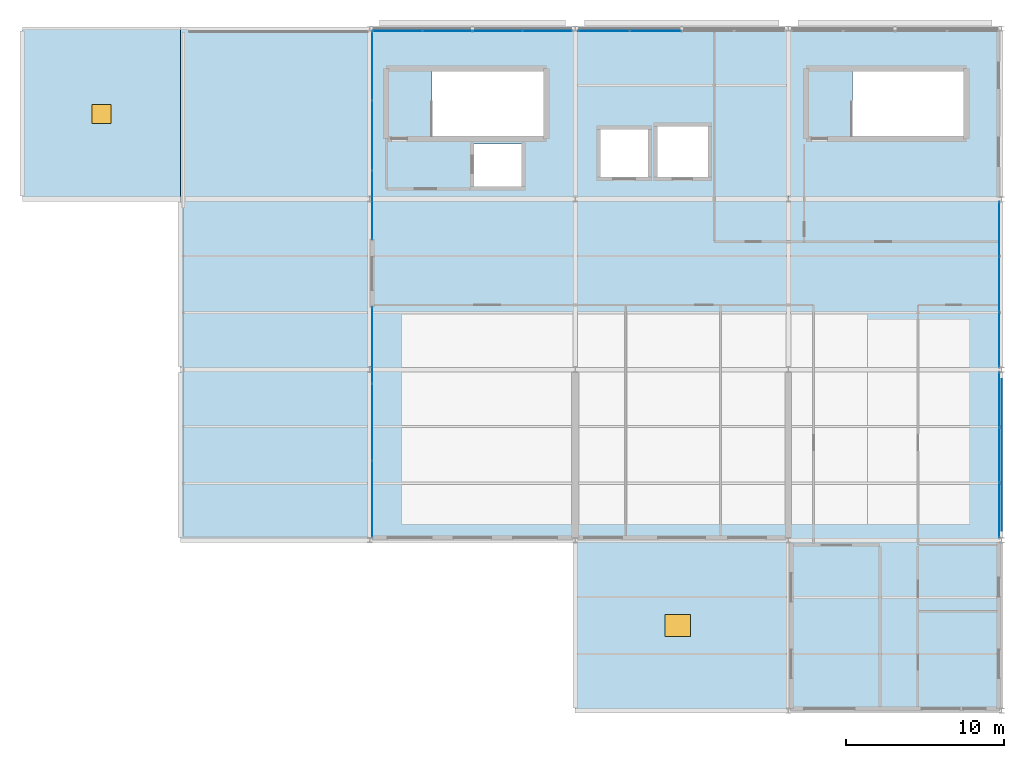
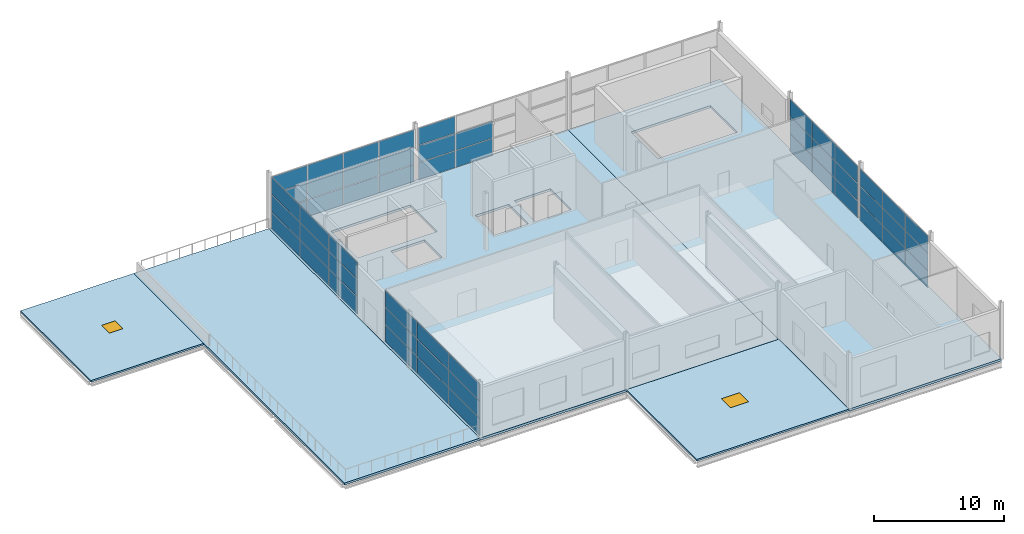
# One storey, part 30 of 34: 54 plates, 5 slabs, 2 windows, 2 openings, 6 elements without a shape of their own.
"""IFC4 building model written with IfcOpenShell, lengths in metres."""

from ifc_helpers import new_model, si_unit, direction, frame, origin, origin_2d, place, context, subcontext, project, spatial, polyline, rectangle, outline, extrude, material, layer, layer_set, type_object, element, fill, aggregate, save


model = new_model("IFC4")

# Units and contexts
model_context = context("Model", 3, precision=1e-05, world=origin(), true_north=direction((0.0, 1.0)))
body_context = subcontext(model_context, "Body", "Model", "MODEL_VIEW")
ifc_project = project(units=[si_unit("LENGTHUNIT", "METRE"), si_unit("AREAUNIT", "SQUARE_METRE"), si_unit("VOLUMEUNIT", "CUBIC_METRE"), si_unit("PLANEANGLEUNIT", "RADIAN"), si_unit("MASSUNIT", "GRAM", prefix="KILO")], contexts=[model_context])

# Site, building, storey
site_placement = place(None, origin())
site = spatial("IfcSite", under=ifc_project, at=site_placement, CompositionType="ELEMENT")
building_placement = place(site_placement, origin())
building = spatial("IfcBuilding", under=site, at=building_placement, Name="Tamarisk Ironworks Central Station", CompositionType="ELEMENT")
storey_placement = place(building_placement, frame((0.0, 0.0, 25.199951171875)))
storey = spatial("IfcBuildingStorey", under=building, at=storey_placement, Name="L05", CompositionType="ELEMENT", Elevation=25.199951171875)

# Curtain wall, plates
ifc_material_1 = material(Name="Anodized aluminium alloy 6063-T6", Category="aluminium")
ifc_layer_1 = layer(ifc_material_1, 0.179931640625)
ifc_layer_set_1 = layer_set([ifc_layer_1], Name="Anodized aluminium alloy 6063-T6")
curtain_wall_type_1 = type_object("IfcCurtainWallType", Name="CW-20", PredefinedType="USERDEFINED", material=ifc_layer_set_1)
curtain_wall_1_placement = place(storey_placement, origin())
curtain_wall_1 = element("IfcCurtainWall", 1, at=curtain_wall_1_placement, inside=storey, type_object=curtain_wall_type_1, Name="Operations L05 north facade curtain wall 140", ObjectType="GLAZED CURTAIN WALL", PredefinedType="USERDEFINED")
ifc_layer_2 = layer(ifc_material_1, 0.02392578125)
ifc_layer_set_2 = layer_set([ifc_layer_2], Name="Anodized aluminium alloy 6063-T6")
plate_type_1 = type_object("IfcPlateType", Name="PL-CWP24", PredefinedType="CURTAIN_PANEL", material=ifc_layer_set_2)
plate_1_placement = place(storey_placement, frame((141.7509765625, 122.25, 0.053955078125), z_axis=(0.0, 0.0, 1.0), x_axis=(1.0, 0.0, 0.0)))
plate_1 = element("IfcPlate", 2, at=plate_1_placement, type_object=plate_type_1, Name="CW20 panel 1.1", PredefinedType="CURTAIN_PANEL", context=body_context, shape_type="SweptSolid", body=[
    extrude(rectangle(XDim=3.097900390625, YDim=0.02392578125, at=origin_2d()), origin(), (0.0, 0.0, 1.0), 1.56201171875),
])
plate_2_placement = place(storey_placement, frame((141.7509765625, 122.25, 1.6640625), z_axis=(0.0, 0.0, 1.0), x_axis=(1.0, 0.0, 0.0)))
plate_2 = element("IfcPlate", 3, at=plate_2_placement, type_object=plate_type_1, Name="CW20 panel 1.2", PredefinedType="CURTAIN_PANEL", context=body_context, shape_type="SweptSolid", body=[
    extrude(rectangle(XDim=3.097900390625, YDim=0.02392578125, at=origin_2d()), origin(), (0.0, 0.0, 1.0), 1.592041015625),
])
plate_3_placement = place(storey_placement, frame((141.7509765625, 122.25, 3.303955078125), z_axis=(0.0, 0.0, 1.0), x_axis=(1.0, 0.0, 0.0)))
plate_3 = element("IfcPlate", 4, at=plate_3_placement, type_object=plate_type_1, Name="CW20 panel 1.3", PredefinedType="CURTAIN_PANEL", context=body_context, shape_type="SweptSolid", body=[
    extrude(rectangle(XDim=3.097900390625, YDim=0.02392578125, at=origin_2d()), origin(), (0.0, 0.0, 1.0), 1.56201171875),
])
plate_4_placement = place(storey_placement, frame((144.912109375, 122.25, 0.053955078125), z_axis=(0.0, 0.0, 1.0), x_axis=(1.0, 0.0, 0.0)))
plate_4 = element("IfcPlate", 5, at=plate_4_placement, type_object=plate_type_1, Name="CW20 panel 2.1", PredefinedType="CURTAIN_PANEL", context=body_context, shape_type="SweptSolid", body=[
    extrude(rectangle(XDim=3.1279296875, YDim=0.02392578125, at=origin_2d()), origin(), (0.0, 0.0, 1.0), 1.56201171875),
])
plate_5_placement = place(storey_placement, frame((144.912109375, 122.25, 1.6640625), z_axis=(0.0, 0.0, 1.0), x_axis=(1.0, 0.0, 0.0)))
plate_5 = element("IfcPlate", 6, at=plate_5_placement, type_object=plate_type_1, Name="CW20 panel 2.2", PredefinedType="CURTAIN_PANEL", context=body_context, shape_type="SweptSolid", body=[
    extrude(rectangle(XDim=3.1279296875, YDim=0.02392578125, at=origin_2d()), origin(), (0.0, 0.0, 1.0), 1.592041015625),
])
plate_6_placement = place(storey_placement, frame((144.912109375, 122.25, 3.303955078125), z_axis=(0.0, 0.0, 1.0), x_axis=(1.0, 0.0, 0.0)))
plate_6 = element("IfcPlate", 7, at=plate_6_placement, type_object=plate_type_1, Name="CW20 panel 2.3", PredefinedType="CURTAIN_PANEL", context=body_context, shape_type="SweptSolid", body=[
    extrude(rectangle(XDim=3.1279296875, YDim=0.02392578125, at=origin_2d()), origin(), (0.0, 0.0, 1.0), 1.56201171875),
])
plate_7_placement = place(storey_placement, frame((148.087890625, 122.25, 0.053955078125), z_axis=(0.0, 0.0, 1.0), x_axis=(1.0, 0.0, 0.0)))
plate_7 = element("IfcPlate", 8, at=plate_7_placement, type_object=plate_type_1, Name="CW20 panel 3.1", PredefinedType="CURTAIN_PANEL", context=body_context, shape_type="SweptSolid", body=[
    extrude(rectangle(XDim=3.1279296875, YDim=0.02392578125, at=origin_2d()), origin(), (0.0, 0.0, 1.0), 1.56201171875),
])
plate_8_placement = place(storey_placement, frame((148.087890625, 122.25, 1.6640625), z_axis=(0.0, 0.0, 1.0), x_axis=(1.0, 0.0, 0.0)))
plate_8 = element("IfcPlate", 9, at=plate_8_placement, type_object=plate_type_1, Name="CW20 panel 3.2", PredefinedType="CURTAIN_PANEL", context=body_context, shape_type="SweptSolid", body=[
    extrude(rectangle(XDim=3.1279296875, YDim=0.02392578125, at=origin_2d()), origin(), (0.0, 0.0, 1.0), 1.592041015625),
])
plate_9_placement = place(storey_placement, frame((148.087890625, 122.25, 3.303955078125), z_axis=(0.0, 0.0, 1.0), x_axis=(1.0, 0.0, 0.0)))
plate_9 = element("IfcPlate", 10, at=plate_9_placement, type_object=plate_type_1, Name="CW20 panel 3.3", PredefinedType="CURTAIN_PANEL", context=body_context, shape_type="SweptSolid", body=[
    extrude(rectangle(XDim=3.1279296875, YDim=0.02392578125, at=origin_2d()), origin(), (0.0, 0.0, 1.0), 1.56201171875),
])
plate_10_placement = place(storey_placement, frame((151.2490234375, 122.25, 0.053955078125), z_axis=(0.0, 0.0, 1.0), x_axis=(1.0, 0.0, 0.0)))
plate_10 = element("IfcPlate", 11, at=plate_10_placement, type_object=plate_type_1, Name="CW20 panel 4.1", PredefinedType="CURTAIN_PANEL", context=body_context, shape_type="SweptSolid", body=[
    extrude(rectangle(XDim=3.097900390625, YDim=0.02392578125, at=origin_2d()), origin(), (0.0, 0.0, 1.0), 1.56201171875),
])
plate_11_placement = place(storey_placement, frame((151.2490234375, 122.25, 1.6640625), z_axis=(0.0, 0.0, 1.0), x_axis=(1.0, 0.0, 0.0)))
plate_11 = element("IfcPlate", 12, at=plate_11_placement, type_object=plate_type_1, Name="CW20 panel 4.2", PredefinedType="CURTAIN_PANEL", context=body_context, shape_type="SweptSolid", body=[
    extrude(rectangle(XDim=3.097900390625, YDim=0.02392578125, at=origin_2d()), origin(), (0.0, 0.0, 1.0), 1.592041015625),
])
plate_12_placement = place(storey_placement, frame((151.2490234375, 122.25, 3.303955078125), z_axis=(0.0, 0.0, 1.0), x_axis=(1.0, 0.0, 0.0)))
plate_12 = element("IfcPlate", 13, at=plate_12_placement, type_object=plate_type_1, Name="CW20 panel 4.3", PredefinedType="CURTAIN_PANEL", context=body_context, shape_type="SweptSolid", body=[
    extrude(rectangle(XDim=3.097900390625, YDim=0.02392578125, at=origin_2d()), origin(), (0.0, 0.0, 1.0), 1.56201171875),
])
aggregate(curtain_wall_1, [plate_1, plate_2, plate_3, plate_4, plate_5, plate_6, plate_7, plate_8, plate_9, plate_10, plate_11, plate_12])

curtain_wall_2_placement = place(storey_placement, origin())
curtain_wall_2 = element("IfcCurtainWall", 14, at=curtain_wall_2_placement, inside=storey, type_object=curtain_wall_type_1, Name="Operations L05 north facade curtain wall 153", ObjectType="GLAZED CURTAIN WALL", PredefinedType="USERDEFINED")
plate_13_placement = place(storey_placement, frame((154.8134765625, 122.25, 0.053955078125), z_axis=(0.0, 0.0, 1.0), x_axis=(1.0, 0.0, 0.0)))
plate_13 = element("IfcPlate", 15, at=plate_13_placement, type_object=plate_type_1, Name="CW20 panel 1.1", PredefinedType="CURTAIN_PANEL", context=body_context, shape_type="SweptSolid", body=[
    extrude(rectangle(XDim=3.222900390625, YDim=0.02392578125, at=origin_2d()), origin(), (0.0, 0.0, 1.0), 1.56201171875),
])
plate_14_placement = place(storey_placement, frame((154.8134765625, 122.25, 1.6640625), z_axis=(0.0, 0.0, 1.0), x_axis=(1.0, 0.0, 0.0)))
plate_14 = element("IfcPlate", 16, at=plate_14_placement, type_object=plate_type_1, Name="CW20 panel 1.2", PredefinedType="CURTAIN_PANEL", context=body_context, shape_type="SweptSolid", body=[
    extrude(rectangle(XDim=3.222900390625, YDim=0.02392578125, at=origin_2d()), origin(), (0.0, 0.0, 1.0), 1.592041015625),
])
plate_15_placement = place(storey_placement, frame((154.8134765625, 122.25, 3.303955078125), z_axis=(0.0, 0.0, 1.0), x_axis=(1.0, 0.0, 0.0)))
plate_15 = element("IfcPlate", 17, at=plate_15_placement, type_object=plate_type_1, Name="CW20 panel 1.3", PredefinedType="CURTAIN_PANEL", context=body_context, shape_type="SweptSolid", body=[
    extrude(rectangle(XDim=3.222900390625, YDim=0.02392578125, at=origin_2d()), origin(), (0.0, 0.0, 1.0), 1.56201171875),
])
plate_16_placement = place(storey_placement, frame((158.099609375, 122.25, 0.053955078125), z_axis=(0.0, 0.0, 1.0), x_axis=(1.0, 0.0, 0.0)))
plate_16 = element("IfcPlate", 18, at=plate_16_placement, type_object=plate_type_1, Name="CW20 panel 2.1", PredefinedType="CURTAIN_PANEL", context=body_context, shape_type="SweptSolid", body=[
    extrude(rectangle(XDim=3.2529296875, YDim=0.02392578125, at=origin_2d()), origin(), (0.0, 0.0, 1.0), 1.56201171875),
])
plate_17_placement = place(storey_placement, frame((158.099609375, 122.25, 1.6640625), z_axis=(0.0, 0.0, 1.0), x_axis=(1.0, 0.0, 0.0)))
plate_17 = element("IfcPlate", 19, at=plate_17_placement, type_object=plate_type_1, Name="CW20 panel 2.2", PredefinedType="CURTAIN_PANEL", context=body_context, shape_type="SweptSolid", body=[
    extrude(rectangle(XDim=3.2529296875, YDim=0.02392578125, at=origin_2d()), origin(), (0.0, 0.0, 1.0), 1.592041015625),
])
aggregate(curtain_wall_2, [plate_13, plate_14, plate_15, plate_16, plate_17])

curtain_wall_3_placement = place(storey_placement, origin())
curtain_wall_3 = element("IfcCurtainWall", 20, at=curtain_wall_3_placement, inside=storey, type_object=curtain_wall_type_1, Name="Crown terrace overlook curtain wall L05-158", ObjectType="GLAZED CURTAIN WALL", PredefinedType="USERDEFINED")
plate_18_placement = place(storey_placement, frame((140.14990234375, 92.61328125, 0.053955078125), z_axis=(0.0, 0.0, 1.0), x_axis=(0.0, 1.0, 0.0)))
plate_18 = element("IfcPlate", 21, at=plate_18_placement, type_object=plate_type_1, Name="CW20 panel 1.1", PredefinedType="CURTAIN_PANEL", context=body_context, shape_type="SweptSolid", body=[
    extrude(rectangle(XDim=4.802734375, YDim=0.02392578125, at=origin_2d()), origin(), (0.0, 0.0, 1.0), 1.56201171875),
])
plate_19_placement = place(storey_placement, frame((140.14990234375, 92.61328125, 1.6640625), z_axis=(0.0, 0.0, 1.0), x_axis=(0.0, 1.0, 0.0)))
plate_19 = element("IfcPlate", 22, at=plate_19_placement, type_object=plate_type_1, Name="CW20 panel 1.2", PredefinedType="CURTAIN_PANEL", context=body_context, shape_type="SweptSolid", body=[
    extrude(rectangle(XDim=4.802734375, YDim=0.02392578125, at=origin_2d()), origin(), (0.0, 0.0, 1.0), 1.592041015625),
])
plate_20_placement = place(storey_placement, frame((140.14990234375, 92.61328125, 3.303955078125), z_axis=(0.0, 0.0, 1.0), x_axis=(0.0, 1.0, 0.0)))
plate_20 = element("IfcPlate", 23, at=plate_20_placement, type_object=plate_type_1, Name="CW20 panel 1.3", PredefinedType="CURTAIN_PANEL", context=body_context, shape_type="SweptSolid", body=[
    extrude(rectangle(XDim=4.802734375, YDim=0.02392578125, at=origin_2d()), origin(), (0.0, 0.0, 1.0), 1.56201171875),
])
plate_21_placement = place(storey_placement, frame((140.14990234375, 97.47900390625, 0.053955078125), z_axis=(0.0, 0.0, 1.0), x_axis=(0.0, 1.0, 0.0)))
plate_21 = element("IfcPlate", 24, at=plate_21_placement, type_object=plate_type_1, Name="CW20 panel 2.1", PredefinedType="CURTAIN_PANEL", context=body_context, shape_type="SweptSolid", body=[
    extrude(rectangle(XDim=4.832763671875, YDim=0.02392578125, at=origin_2d()), origin(), (0.0, 0.0, 1.0), 1.56201171875),
])
plate_22_placement = place(storey_placement, frame((140.14990234375, 97.47900390625, 1.6640625), z_axis=(0.0, 0.0, 1.0), x_axis=(0.0, 1.0, 0.0)))
plate_22 = element("IfcPlate", 25, at=plate_22_placement, type_object=plate_type_1, Name="CW20 panel 2.2", PredefinedType="CURTAIN_PANEL", context=body_context, shape_type="SweptSolid", body=[
    extrude(rectangle(XDim=4.832763671875, YDim=0.02392578125, at=origin_2d()), origin(), (0.0, 0.0, 1.0), 1.592041015625),
])
plate_23_placement = place(storey_placement, frame((140.14990234375, 97.47900390625, 3.303955078125), z_axis=(0.0, 0.0, 1.0), x_axis=(0.0, 1.0, 0.0)))
plate_23 = element("IfcPlate", 26, at=plate_23_placement, type_object=plate_type_1, Name="CW20 panel 2.3", PredefinedType="CURTAIN_PANEL", context=body_context, shape_type="SweptSolid", body=[
    extrude(rectangle(XDim=4.832763671875, YDim=0.02392578125, at=origin_2d()), origin(), (0.0, 0.0, 1.0), 1.56201171875),
])
plate_24_placement = place(storey_placement, frame((140.14990234375, 102.3447265625, 0.053955078125), z_axis=(0.0, 0.0, 1.0), x_axis=(0.0, 1.0, 0.0)))
plate_24 = element("IfcPlate", 27, at=plate_24_placement, type_object=plate_type_1, Name="CW20 panel 3.1", PredefinedType="CURTAIN_PANEL", context=body_context, shape_type="SweptSolid", body=[
    extrude(rectangle(XDim=4.802734375, YDim=0.02392578125, at=origin_2d()), origin(), (0.0, 0.0, 1.0), 1.56201171875),
])
plate_25_placement = place(storey_placement, frame((140.14990234375, 102.3447265625, 1.6640625), z_axis=(0.0, 0.0, 1.0), x_axis=(0.0, 1.0, 0.0)))
plate_25 = element("IfcPlate", 28, at=plate_25_placement, type_object=plate_type_1, Name="CW20 panel 3.2", PredefinedType="CURTAIN_PANEL", context=body_context, shape_type="SweptSolid", body=[
    extrude(rectangle(XDim=4.802734375, YDim=0.02392578125, at=origin_2d()), origin(), (0.0, 0.0, 1.0), 1.592041015625),
])
plate_26_placement = place(storey_placement, frame((140.14990234375, 102.3447265625, 3.303955078125), z_axis=(0.0, 0.0, 1.0), x_axis=(0.0, 1.0, 0.0)))
plate_26 = element("IfcPlate", 29, at=plate_26_placement, type_object=plate_type_1, Name="CW20 panel 3.3", PredefinedType="CURTAIN_PANEL", context=body_context, shape_type="SweptSolid", body=[
    extrude(rectangle(XDim=4.802734375, YDim=0.02392578125, at=origin_2d()), origin(), (0.0, 0.0, 1.0), 1.56201171875),
])
aggregate(curtain_wall_3, [plate_18, plate_19, plate_20, plate_21, plate_22, plate_23, plate_24, plate_25, plate_26])

curtain_wall_4_placement = place(storey_placement, origin())
curtain_wall_4 = element("IfcCurtainWall", 30, at=curtain_wall_4_placement, inside=storey, type_object=curtain_wall_type_1, Name="Crown terrace overlook curtain wall L05-159", ObjectType="GLAZED CURTAIN WALL", PredefinedType="USERDEFINED")
plate_27_placement = place(storey_placement, frame((140.14990234375, 111.2236328125, 0.053955078125), z_axis=(0.0, 0.0, 1.0), x_axis=(0.0, 1.0, 0.0)))
plate_27 = element("IfcPlate", 31, at=plate_27_placement, type_object=plate_type_1, Name="CW20 panel 1.1", PredefinedType="CURTAIN_PANEL", context=body_context, shape_type="SweptSolid", body=[
    extrude(rectangle(XDim=4.33935546875, YDim=0.02392578125, at=origin_2d()), origin(), (0.0, 0.0, 1.0), 1.56201171875),
])
plate_28_placement = place(storey_placement, frame((140.14990234375, 111.2236328125, 1.6640625), z_axis=(0.0, 0.0, 1.0), x_axis=(0.0, 1.0, 0.0)))
plate_28 = element("IfcPlate", 32, at=plate_28_placement, type_object=plate_type_1, Name="CW20 panel 1.2", PredefinedType="CURTAIN_PANEL", context=body_context, shape_type="SweptSolid", body=[
    extrude(rectangle(XDim=4.33935546875, YDim=0.02392578125, at=origin_2d()), origin(), (0.0, 0.0, 1.0), 1.592041015625),
])
plate_29_placement = place(storey_placement, frame((140.14990234375, 111.2236328125, 3.303955078125), z_axis=(0.0, 0.0, 1.0), x_axis=(0.0, 1.0, 0.0)))
plate_29 = element("IfcPlate", 33, at=plate_29_placement, type_object=plate_type_1, Name="CW20 panel 1.3", PredefinedType="CURTAIN_PANEL", context=body_context, shape_type="SweptSolid", body=[
    extrude(rectangle(XDim=4.33935546875, YDim=0.02392578125, at=origin_2d()), origin(), (0.0, 0.0, 1.0), 1.56201171875),
])
plate_30_placement = place(storey_placement, frame((140.14990234375, 115.6259765625, 0.053955078125), z_axis=(0.0, 0.0, 1.0), x_axis=(0.0, 1.0, 0.0)))
plate_30 = element("IfcPlate", 34, at=plate_30_placement, type_object=plate_type_1, Name="CW20 panel 2.1", PredefinedType="CURTAIN_PANEL", context=body_context, shape_type="SweptSolid", body=[
    extrude(rectangle(XDim=4.369384765625, YDim=0.02392578125, at=origin_2d()), origin(), (0.0, 0.0, 1.0), 1.56201171875),
])
plate_31_placement = place(storey_placement, frame((140.14990234375, 115.6259765625, 1.6640625), z_axis=(0.0, 0.0, 1.0), x_axis=(0.0, 1.0, 0.0)))
plate_31 = element("IfcPlate", 35, at=plate_31_placement, type_object=plate_type_1, Name="CW20 panel 2.2", PredefinedType="CURTAIN_PANEL", context=body_context, shape_type="SweptSolid", body=[
    extrude(rectangle(XDim=4.369384765625, YDim=0.02392578125, at=origin_2d()), origin(), (0.0, 0.0, 1.0), 1.592041015625),
])
plate_32_placement = place(storey_placement, frame((140.14990234375, 115.6259765625, 3.303955078125), z_axis=(0.0, 0.0, 1.0), x_axis=(0.0, 1.0, 0.0)))
plate_32 = element("IfcPlate", 36, at=plate_32_placement, type_object=plate_type_1, Name="CW20 panel 2.3", PredefinedType="CURTAIN_PANEL", context=body_context, shape_type="SweptSolid", body=[
    extrude(rectangle(XDim=4.369384765625, YDim=0.02392578125, at=origin_2d()), origin(), (0.0, 0.0, 1.0), 1.56201171875),
])
plate_33_placement = place(storey_placement, frame((140.14990234375, 120.0283203125, 0.053955078125), z_axis=(0.0, 0.0, 1.0), x_axis=(0.0, 1.0, 0.0)))
plate_33 = element("IfcPlate", 37, at=plate_33_placement, type_object=plate_type_1, Name="CW20 panel 3.1", PredefinedType="CURTAIN_PANEL", context=body_context, shape_type="SweptSolid", body=[
    extrude(rectangle(XDim=4.33935546875, YDim=0.02392578125, at=origin_2d()), origin(), (0.0, 0.0, 1.0), 1.56201171875),
])
plate_34_placement = place(storey_placement, frame((140.14990234375, 120.0283203125, 1.6640625), z_axis=(0.0, 0.0, 1.0), x_axis=(0.0, 1.0, 0.0)))
plate_34 = element("IfcPlate", 38, at=plate_34_placement, type_object=plate_type_1, Name="CW20 panel 3.2", PredefinedType="CURTAIN_PANEL", context=body_context, shape_type="SweptSolid", body=[
    extrude(rectangle(XDim=4.33935546875, YDim=0.02392578125, at=origin_2d()), origin(), (0.0, 0.0, 1.0), 1.592041015625),
])
plate_35_placement = place(storey_placement, frame((140.14990234375, 120.0283203125, 3.303955078125), z_axis=(0.0, 0.0, 1.0), x_axis=(0.0, 1.0, 0.0)))
plate_35 = element("IfcPlate", 39, at=plate_35_placement, type_object=plate_type_1, Name="CW20 panel 3.3", PredefinedType="CURTAIN_PANEL", context=body_context, shape_type="SweptSolid", body=[
    extrude(rectangle(XDim=4.33935546875, YDim=0.02392578125, at=origin_2d()), origin(), (0.0, 0.0, 1.0), 1.56201171875),
])
aggregate(curtain_wall_4, [plate_27, plate_28, plate_29, plate_30, plate_31, plate_32, plate_33, plate_34, plate_35])

ifc_layer_3 = layer(ifc_material_1, 0.179931640625)
ifc_layer_set_3 = layer_set([ifc_layer_3], Name="Anodized aluminium alloy 6063-T6")
curtain_wall_type_2 = type_object("IfcCurtainWallType", Name="CW-23", PredefinedType="USERDEFINED", material=ifc_layer_set_3)
curtain_wall_5_placement = place(storey_placement, origin())
curtain_wall_5 = element("IfcCurtainWall", 40, at=curtain_wall_5_placement, inside=storey, type_object=curtain_wall_type_2, Name="Operations L05 east facade curtain wall 090", ObjectType="GLAZED CURTAIN WALL", PredefinedType="USERDEFINED")
ifc_material_2 = material(Name="Laminated solar-control low-E glass", Category="glass")
ifc_layer_4 = layer(ifc_material_2, 0.028076171875)
ifc_layer_set_4 = layer_set([ifc_layer_4], Name="Laminated solar-control low-E glass")
plate_type_2 = type_object("IfcPlateType", Name="PL-CWP28", PredefinedType="CURTAIN_PANEL", material=ifc_layer_set_4)
plate_36_placement = place(storey_placement, frame((179.85009765625, 91.91357421875, 0.053955078125), z_axis=(0.0, 0.0, 1.0), x_axis=(0.0, 1.0, 0.0)))
plate_36 = element("IfcPlate", 41, at=plate_36_placement, type_object=plate_type_2, Name="CW23 panel 1.1", PredefinedType="CURTAIN_PANEL", context=body_context, shape_type="SweptSolid", body=[
    extrude(rectangle(XDim=3.42333984375, YDim=0.028076171875, at=origin_2d()), origin(), (0.0, 0.0, 1.0), 1.56201171875),
])
plate_37_placement = place(storey_placement, frame((179.85009765625, 91.91357421875, 1.6640625), z_axis=(0.0, 0.0, 1.0), x_axis=(0.0, 1.0, 0.0)))
plate_37 = element("IfcPlate", 42, at=plate_37_placement, type_object=plate_type_2, Name="CW23 panel 1.2", PredefinedType="CURTAIN_PANEL", context=body_context, shape_type="SweptSolid", body=[
    extrude(rectangle(XDim=3.42333984375, YDim=0.028076171875, at=origin_2d()), origin(), (0.0, 0.0, 1.0), 1.592041015625),
])
plate_38_placement = place(storey_placement, frame((179.85009765625, 91.91357421875, 3.303955078125), z_axis=(0.0, 0.0, 1.0), x_axis=(0.0, 1.0, 0.0)))
plate_38 = element("IfcPlate", 43, at=plate_38_placement, type_object=plate_type_2, Name="CW23 panel 1.3", PredefinedType="CURTAIN_PANEL", context=body_context, shape_type="SweptSolid", body=[
    extrude(rectangle(XDim=3.42333984375, YDim=0.028076171875, at=origin_2d()), origin(), (0.0, 0.0, 1.0), 1.56201171875),
])
plate_39_placement = place(storey_placement, frame((179.85009765625, 95.39990234375, 0.053955078125), z_axis=(0.0, 0.0, 1.0), x_axis=(0.0, 1.0, 0.0)))
plate_39 = element("IfcPlate", 44, at=plate_39_placement, type_object=plate_type_2, Name="CW23 panel 2.1", PredefinedType="CURTAIN_PANEL", context=body_context, shape_type="SweptSolid", body=[
    extrude(rectangle(XDim=3.453369140625, YDim=0.028076171875, at=origin_2d()), origin(), (0.0, 0.0, 1.0), 1.56201171875),
])
plate_40_placement = place(storey_placement, frame((179.85009765625, 95.39990234375, 1.6640625), z_axis=(0.0, 0.0, 1.0), x_axis=(0.0, 1.0, 0.0)))
plate_40 = element("IfcPlate", 45, at=plate_40_placement, type_object=plate_type_2, Name="CW23 panel 2.2", PredefinedType="CURTAIN_PANEL", context=body_context, shape_type="SweptSolid", body=[
    extrude(rectangle(XDim=3.453369140625, YDim=0.028076171875, at=origin_2d()), origin(), (0.0, 0.0, 1.0), 1.592041015625),
])
plate_41_placement = place(storey_placement, frame((179.85009765625, 95.39990234375, 3.303955078125), z_axis=(0.0, 0.0, 1.0), x_axis=(0.0, 1.0, 0.0)))
plate_41 = element("IfcPlate", 46, at=plate_41_placement, type_object=plate_type_2, Name="CW23 panel 2.3", PredefinedType="CURTAIN_PANEL", context=body_context, shape_type="SweptSolid", body=[
    extrude(rectangle(XDim=3.453369140625, YDim=0.028076171875, at=origin_2d()), origin(), (0.0, 0.0, 1.0), 1.56201171875),
])
plate_42_placement = place(storey_placement, frame((179.85009765625, 98.88623046875, 0.053955078125), z_axis=(0.0, 0.0, 1.0), x_axis=(0.0, 1.0, 0.0)))
plate_42 = element("IfcPlate", 47, at=plate_42_placement, type_object=plate_type_2, Name="CW23 panel 3.1", PredefinedType="CURTAIN_PANEL", context=body_context, shape_type="SweptSolid", body=[
    extrude(rectangle(XDim=3.42333984375, YDim=0.028076171875, at=origin_2d()), origin(), (0.0, 0.0, 1.0), 1.56201171875),
])
plate_43_placement = place(storey_placement, frame((179.85009765625, 98.88623046875, 1.6640625), z_axis=(0.0, 0.0, 1.0), x_axis=(0.0, 1.0, 0.0)))
plate_43 = element("IfcPlate", 48, at=plate_43_placement, type_object=plate_type_2, Name="CW23 panel 3.2", PredefinedType="CURTAIN_PANEL", context=body_context, shape_type="SweptSolid", body=[
    extrude(rectangle(XDim=3.42333984375, YDim=0.028076171875, at=origin_2d()), origin(), (0.0, 0.0, 1.0), 1.592041015625),
])
plate_44_placement = place(storey_placement, frame((179.85009765625, 98.88623046875, 3.303955078125), z_axis=(0.0, 0.0, 1.0), x_axis=(0.0, 1.0, 0.0)))
plate_44 = element("IfcPlate", 49, at=plate_44_placement, type_object=plate_type_2, Name="CW23 panel 3.3", PredefinedType="CURTAIN_PANEL", context=body_context, shape_type="SweptSolid", body=[
    extrude(rectangle(XDim=3.42333984375, YDim=0.028076171875, at=origin_2d()), origin(), (0.0, 0.0, 1.0), 1.56201171875),
])
aggregate(curtain_wall_5, [plate_36, plate_37, plate_38, plate_39, plate_40, plate_41, plate_42, plate_43, plate_44])

curtain_wall_6_placement = place(storey_placement, origin())
curtain_wall_6 = element("IfcCurtainWall", 50, at=curtain_wall_6_placement, inside=storey, type_object=curtain_wall_type_2, Name="Operations L05 east facade curtain wall 100", ObjectType="GLAZED CURTAIN WALL", PredefinedType="USERDEFINED")
plate_45_placement = place(storey_placement, frame((179.85009765625, 102.713623046875, 0.053955078125), z_axis=(0.0, 0.0, 1.0), x_axis=(0.0, 1.0, 0.0)))
plate_45 = element("IfcPlate", 51, at=plate_45_placement, type_object=plate_type_2, Name="CW23 panel 1.1", PredefinedType="CURTAIN_PANEL", context=body_context, shape_type="SweptSolid", body=[
    extrude(rectangle(XDim=3.42333984375, YDim=0.028076171875, at=origin_2d()), origin(), (0.0, 0.0, 1.0), 1.56201171875),
])
plate_46_placement = place(storey_placement, frame((179.85009765625, 102.713623046875, 1.6640625), z_axis=(0.0, 0.0, 1.0), x_axis=(0.0, 1.0, 0.0)))
plate_46 = element("IfcPlate", 52, at=plate_46_placement, type_object=plate_type_2, Name="CW23 panel 1.2", PredefinedType="CURTAIN_PANEL", context=body_context, shape_type="SweptSolid", body=[
    extrude(rectangle(XDim=3.42333984375, YDim=0.028076171875, at=origin_2d()), origin(), (0.0, 0.0, 1.0), 1.592041015625),
])
plate_47_placement = place(storey_placement, frame((179.85009765625, 102.713623046875, 3.303955078125), z_axis=(0.0, 0.0, 1.0), x_axis=(0.0, 1.0, 0.0)))
plate_47 = element("IfcPlate", 53, at=plate_47_placement, type_object=plate_type_2, Name="CW23 panel 1.3", PredefinedType="CURTAIN_PANEL", context=body_context, shape_type="SweptSolid", body=[
    extrude(rectangle(XDim=3.42333984375, YDim=0.028076171875, at=origin_2d()), origin(), (0.0, 0.0, 1.0), 1.56201171875),
])
plate_48_placement = place(storey_placement, frame((179.85009765625, 106.199951171875, 0.053955078125), z_axis=(0.0, 0.0, 1.0), x_axis=(0.0, 1.0, 0.0)))
plate_48 = element("IfcPlate", 54, at=plate_48_placement, type_object=plate_type_2, Name="CW23 panel 2.1", PredefinedType="CURTAIN_PANEL", context=body_context, shape_type="SweptSolid", body=[
    extrude(rectangle(XDim=3.453369140625, YDim=0.028076171875, at=origin_2d()), origin(), (0.0, 0.0, 1.0), 1.56201171875),
])
plate_49_placement = place(storey_placement, frame((179.85009765625, 106.199951171875, 1.6640625), z_axis=(0.0, 0.0, 1.0), x_axis=(0.0, 1.0, 0.0)))
plate_49 = element("IfcPlate", 55, at=plate_49_placement, type_object=plate_type_2, Name="CW23 panel 2.2", PredefinedType="CURTAIN_PANEL", context=body_context, shape_type="SweptSolid", body=[
    extrude(rectangle(XDim=3.453369140625, YDim=0.028076171875, at=origin_2d()), origin(), (0.0, 0.0, 1.0), 1.592041015625),
])
plate_50_placement = place(storey_placement, frame((179.85009765625, 106.199951171875, 3.303955078125), z_axis=(0.0, 0.0, 1.0), x_axis=(0.0, 1.0, 0.0)))
plate_50 = element("IfcPlate", 56, at=plate_50_placement, type_object=plate_type_2, Name="CW23 panel 2.3", PredefinedType="CURTAIN_PANEL", context=body_context, shape_type="SweptSolid", body=[
    extrude(rectangle(XDim=3.453369140625, YDim=0.028076171875, at=origin_2d()), origin(), (0.0, 0.0, 1.0), 1.56201171875),
])
plate_51_placement = place(storey_placement, frame((179.85009765625, 109.686279296875, 0.053955078125), z_axis=(0.0, 0.0, 1.0), x_axis=(0.0, 1.0, 0.0)))
plate_51 = element("IfcPlate", 57, at=plate_51_placement, type_object=plate_type_2, Name="CW23 panel 3.1", PredefinedType="CURTAIN_PANEL", context=body_context, shape_type="SweptSolid", body=[
    extrude(rectangle(XDim=3.42333984375, YDim=0.028076171875, at=origin_2d()), origin(), (0.0, 0.0, 1.0), 1.56201171875),
])
plate_52_placement = place(storey_placement, frame((179.85009765625, 109.686279296875, 1.6640625), z_axis=(0.0, 0.0, 1.0), x_axis=(0.0, 1.0, 0.0)))
plate_52 = element("IfcPlate", 58, at=plate_52_placement, type_object=plate_type_2, Name="CW23 panel 3.2", PredefinedType="CURTAIN_PANEL", context=body_context, shape_type="SweptSolid", body=[
    extrude(rectangle(XDim=3.42333984375, YDim=0.028076171875, at=origin_2d()), origin(), (0.0, 0.0, 1.0), 1.592041015625),
])
plate_53_placement = place(storey_placement, frame((179.85009765625, 109.686279296875, 3.303955078125), z_axis=(0.0, 0.0, 1.0), x_axis=(0.0, 1.0, 0.0)))
plate_53 = element("IfcPlate", 59, at=plate_53_placement, type_object=plate_type_2, Name="CW23 panel 3.3", PredefinedType="CURTAIN_PANEL", context=body_context, shape_type="SweptSolid", body=[
    extrude(rectangle(XDim=3.42333984375, YDim=0.028076171875, at=origin_2d()), origin(), (0.0, 0.0, 1.0), 1.56201171875),
])
aggregate(curtain_wall_6, [plate_45, plate_46, plate_47, plate_48, plate_49, plate_50, plate_51, plate_52, plate_53])

# Plate
ifc_layer_5 = layer(ifc_material_1, 0.008056640625)
ifc_layer_set_5 = layer_set([ifc_layer_5], Name="Anodized aluminium alloy 6063-T6")
plate_type_3 = type_object("IfcPlateType", Name="PL-SP08", PredefinedType="SHEET", material=ifc_layer_set_5)
plate_54_placement = place(storey_placement, frame((179.998046875, 95.39990234375, -0.23974609375), z_axis=(0.0, 0.0, 1.0), x_axis=(1.0, 0.0, 0.0)))
element("IfcPlate", 60, at=plate_54_placement, inside=storey, type_object=plate_type_3, Name="L05 east anodised spandrel fascia plate 024", PredefinedType="SHEET", context=body_context, shape_type="SweptSolid", body=[
    extrude(rectangle(XDim=0.008056640625, YDim=9.60009765625, at=origin_2d()), origin(), (0.0, 0.0, 1.0), 0.239990234375),
])

# Slabs
ifc_material_3 = material(Name="Concrete C35/45", Category="concrete")
ifc_layer_6 = layer(ifc_material_3, 0.219970703125)
ifc_layer_set_6 = layer_set([ifc_layer_6], Name="Concrete C35/45")
slab_type_1 = type_object("IfcSlabType", Name="SL-FL220", PredefinedType="FLOOR", material=ifc_layer_set_6)
slab_1_placement = place(storey_placement, frame((0.0, 0.0, -0.219970703125)))
element("IfcSlab", 61, at=slab_1_placement, inside=storey, type_object=slab_type_1, Name="L05 Station Master and Plant Floor Slab V5-NW", PredefinedType="FLOOR", context=body_context, shape_type="SweptSolid", body=[
    extrude(outline(polyline([(140.0, 90.0), (166.5, 90.0), (166.5, 122.39990234375), (140.0, 122.39990234375), (140.0, 90.0)]), holes=[polyline([(143.949951171875, 115.60009765625), (151.0, 115.60009765625), (151.0, 119.699951171875), (143.949951171875, 119.699951171875), (143.949951171875, 115.60009765625)]), polyline([(146.60009765625, 112.39990234375), (149.60009765625, 112.39990234375), (149.60009765625, 115.10009765625), (146.60009765625, 115.10009765625), (146.60009765625, 112.39990234375)]), polyline([(154.60009765625, 113.0), (157.60009765625, 113.0), (157.60009765625, 116.0), (154.60009765625, 116.0), (154.60009765625, 113.0)]), polyline([(158.199951171875, 113.0), (161.39990234375, 113.0), (161.39990234375, 116.199951171875), (158.199951171875, 116.199951171875), (158.199951171875, 113.0)])]), origin(), (0.0, 0.0, 1.0), 0.219970703125),
])
slab_2_placement = place(storey_placement, frame((0.0, 0.0, -0.219970703125)))
element("IfcSlab", 62, at=slab_2_placement, inside=storey, type_object=slab_type_1, Name="L05 Station Master and Plant Floor Slab V5-NE", PredefinedType="FLOOR", context=body_context, shape_type="SweptSolid", body=[
    extrude(outline(polyline([(166.5, 79.199951171875), (180.0, 79.199951171875), (180.0, 122.39990234375), (166.5, 122.39990234375), (166.5, 79.199951171875)]), holes=[polyline([(170.550048828125, 115.60009765625), (177.60009765625, 115.60009765625), (177.60009765625, 119.699951171875), (170.550048828125, 119.699951171875), (170.550048828125, 115.60009765625)])]), origin(), (0.0, 0.0, 1.0), 0.219970703125),
])

# Slab, opening, window
ifc_layer_7 = layer(ifc_material_3, 0.159912109375)
ifc_layer_set_7 = layer_set([ifc_layer_7], Name="Concrete C35/45")
slab_type_2 = type_object("IfcSlabType", Name="SL-RF160", PredefinedType="ROOF", material=ifc_layer_set_7)
slab_3_placement = place(storey_placement, frame((0.0, 0.0, -0.159912109375)))
slab_3 = element("IfcSlab", 63, at=slab_3_placement, inside=storey, type_object=slab_type_2, Name="L05 Setback Roof Slab V5-RF5", PredefinedType="ROOF", context=body_context, shape_type="SweptSolid", body=[
    extrude(outline(polyline([(153.0, 79.199951171875), (166.5, 79.199951171875), (166.5, 90.0), (153.0, 90.0), (153.0, 79.199951171875)])), origin(), (0.0, 0.0, 1.0), 0.159912109375),
])
opening_1_placement = place(slab_3_placement, frame((159.5, 84.60009765625, 0.0)))
opening_1 = element("IfcOpeningElement", 64, at=opening_1_placement, cuts=slab_3, Name="Opening RH01", PredefinedType="OPENING", context=body_context, shape_type="SweptSolid", body=[
    extrude(rectangle(XDim=1.60009765625, YDim=1.39990234375, at=origin_2d()), frame((0.0, 0.0, -0.011962890625)), (0.0, 0.0, 1.0), 0.183837890625),
])
window_type_1 = type_object("IfcWindowType", Name="SK-05", PartitioningType="SINGLE_PANEL", PredefinedType="USERDEFINED", material=ifc_material_2)
window_1_placement = place(opening_1_placement, frame((0.0, 0.0, 0.10498046875)))
window_1 = element("IfcWindow", 65, at=window_1_placement, inside=storey, type_object=window_type_1, Name="L05 roof access hatch 010", ObjectType="ROOF HATCH", OverallHeight=1.39990234375, OverallWidth=1.60009765625, PartitioningType="SINGLE_PANEL", PredefinedType="USERDEFINED", context=body_context, shape_type="SweptSolid", body=[
    extrude(rectangle(XDim=1.60009765625, YDim=1.39990234375, at=origin_2d()), origin(), (0.0, 0.0, 1.0), 0.050048828125),
])
fill(opening_1, window_1)

slab_4_placement = place(storey_placement, frame((0.0, 0.0, -0.159912109375)))
slab_4 = element("IfcSlab", 66, at=slab_4_placement, inside=storey, type_object=slab_type_2, Name="L05 Setback Roof Slab V5-RF5A", PredefinedType="ROOF", context=body_context, shape_type="SweptSolid", body=[
    extrude(outline(polyline([(118.0, 111.60009765625), (128.0, 111.60009765625), (128.0, 122.39990234375), (118.0, 122.39990234375), (118.0, 111.60009765625)])), origin(), (0.0, 0.0, 1.0), 0.159912109375),
])
opening_2_placement = place(slab_4_placement, frame((123.0, 117.0, 0.0)))
opening_2 = element("IfcOpeningElement", 67, at=opening_2_placement, cuts=slab_4, Name="Opening RH02", PredefinedType="OPENING", context=body_context, shape_type="SweptSolid", body=[
    extrude(rectangle(XDim=1.199951171875, YDim=1.199951171875, at=origin_2d()), frame((0.0, 0.0, -0.011962890625)), (0.0, 0.0, 1.0), 0.183837890625),
])
window_type_2 = type_object("IfcWindowType", Name="SK-06", PartitioningType="SINGLE_PANEL", PredefinedType="USERDEFINED", material=ifc_material_2)
window_2_placement = place(opening_2_placement, frame((0.0, 0.0, 0.10498046875)))
window_2 = element("IfcWindow", 68, at=window_2_placement, inside=storey, type_object=window_type_2, Name="L05 roof access hatch 011", ObjectType="ROOF HATCH", OverallHeight=1.199951171875, OverallWidth=1.199951171875, PartitioningType="SINGLE_PANEL", PredefinedType="USERDEFINED", context=body_context, shape_type="SweptSolid", body=[
    extrude(rectangle(XDim=1.199951171875, YDim=1.199951171875, at=origin_2d()), origin(), (0.0, 0.0, 1.0), 0.050048828125),
])
fill(opening_2, window_2)

# Slab
ifc_layer_8 = layer(ifc_material_3, 0.199951171875)
ifc_layer_set_8 = layer_set([ifc_layer_8], Name="Concrete C35/45")
slab_type_3 = type_object("IfcSlabType", Name="SL-TR200", PredefinedType="FLOOR", material=ifc_layer_set_8)
slab_5_placement = place(storey_placement, frame((0.0, 0.0, -0.199951171875)))
element("IfcSlab", 69, at=slab_5_placement, inside=storey, type_object=slab_type_3, Name="L05 Crew Canteen Landscaped Terrace Deck", PredefinedType="FLOOR", context=body_context, shape_type="SweptSolid", body=[
    extrude(outline(polyline([(128.0, 90.0), (140.0, 90.0), (140.0, 122.39990234375), (128.0, 122.39990234375), (128.0, 90.0)])), origin(), (0.0, 0.0, 1.0), 0.199951171875),
])

save(model, "model.ifc")
